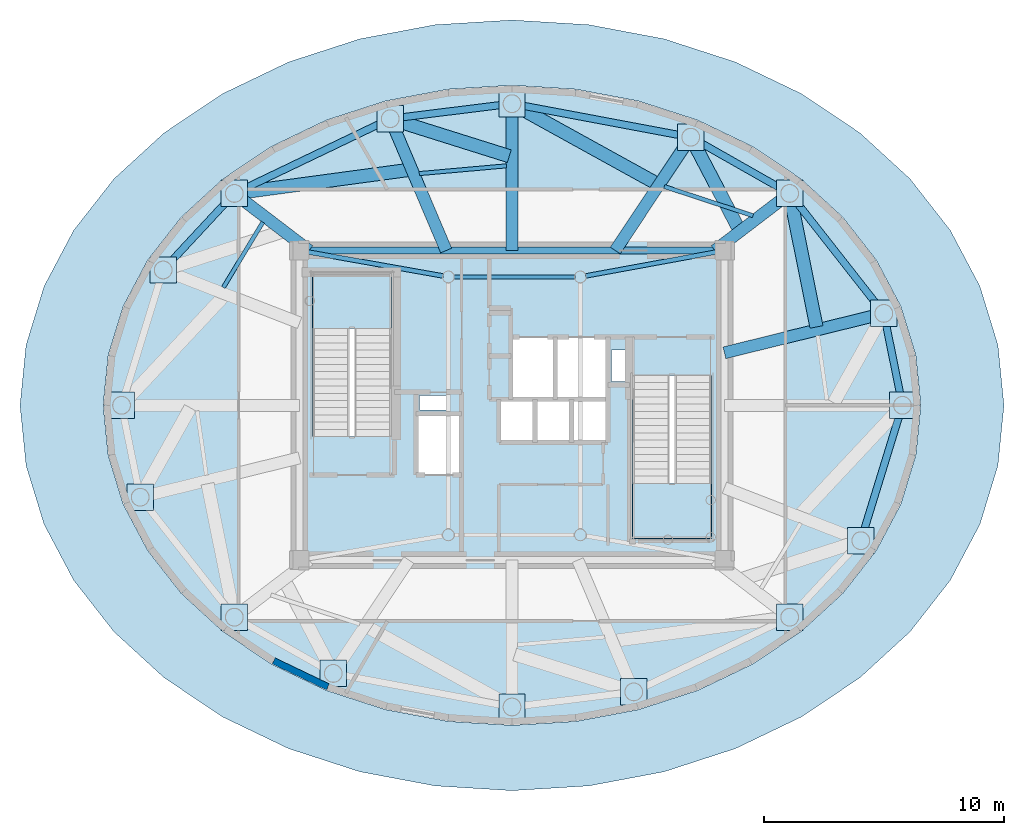
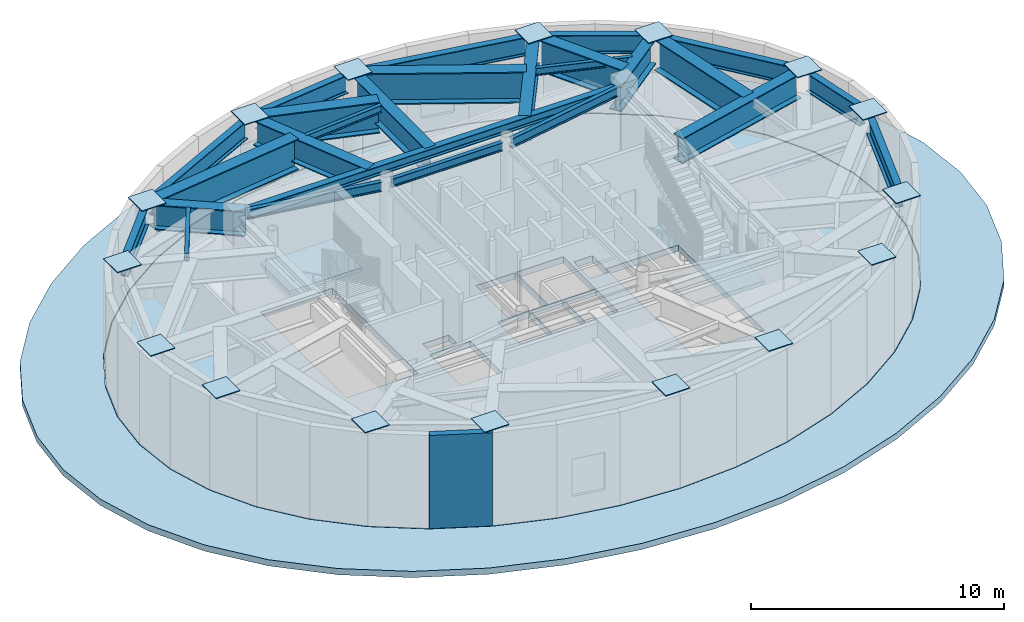
# One storey, part 2 of 11: 26 beams, 16 plates, 4 slabs, 1 wall, 2 elements without a shape of their own.
"""IFC4 building model written with IfcOpenShell, lengths in metres."""

from ifc_helpers import new_model, si_unit, direction, frame, frame_2d, origin, origin_2d, place, context, subcontext, project, spatial, polyline, rectangle, i_section, outline, extrude, source, transform, mapped, material, layer, layer_set, material_profile, profile_set, type_object, element, aggregate, save


model = new_model("IFC4")

# Units and contexts
model_context = context("Model", 3, precision=1e-05, world=origin(), true_north=direction((0.0, 1.0)))
body_context = subcontext(model_context, "Body", "Model", "MODEL_VIEW")
ifc_project = project(units=[si_unit("LENGTHUNIT", "METRE"), si_unit("AREAUNIT", "SQUARE_METRE"), si_unit("VOLUMEUNIT", "CUBIC_METRE"), si_unit("PLANEANGLEUNIT", "RADIAN"), si_unit("MASSUNIT", "GRAM", prefix="KILO")], contexts=[model_context])

# Site, building, storey
site_placement = place(None, origin())
site = spatial("IfcSite", under=ifc_project, at=site_placement, CompositionType="ELEMENT")
building_placement = place(site_placement, origin())
building = spatial("IfcBuilding", under=site, at=building_placement, Name="Linh Dai School and Residence Tower", CompositionType="ELEMENT")
storey_placement = place(building_placement, frame((0.0, 0.0, 363.60009765625)))
storey = spatial("IfcBuildingStorey", under=building, at=storey_placement, Name="L90", CompositionType="ELEMENT", Elevation=363.60009765625)

# Beams
ifc_material_1 = material(Name="Structural Steel S355JR", Category="steel")
ifc_material_profile_1 = material_profile(ifc_material_1, i_section(OverallWidth=0.300048828125, OverallDepth=0.449951171875, WebThickness=0.013916015625, FlangeThickness=0.02587890625, FilletRadius=0.027099609375, at=origin_2d()), Name="HEB 450")
ifc_profile_set_1 = profile_set([ifc_material_profile_1], Name="Structural Steel S355JR")
beam_type_1 = type_object("IfcBeamType", Name="BM-RG45", PredefinedType="BEAM", material=ifc_profile_set_1)
beam_1_placement = place(storey_placement, frame((44.47998046875, 33.449951171875, 4.27490234375), z_axis=(-1.0, 0.0, 0.0), x_axis=(0.0, -1.0, 0.0)))
element("IfcBeam", 1, at=beam_1_placement, inside=storey, type_object=beam_type_1, Name="L90 Core Perimeter Coupling Girder 3", PredefinedType="BEAM", context=body_context, shape_type="SweptSolid", body=[
    extrude(i_section(OverallWidth=0.300048828125, OverallDepth=0.449951171875, WebThickness=0.013916015625, FlangeThickness=0.02587890625, FilletRadius=0.027099609375, at=origin_2d()), origin(), (0.0, 0.0, 1.0), 16.9599609375),
])
ifc_material_profile_2 = material_profile(ifc_material_1, i_section(OverallWidth=0.300048828125, OverallDepth=0.89990234375, WebThickness=0.0185546875, FlangeThickness=0.034912109375, FilletRadius=0.030029296875, at=origin_2d()), Name="HEB 900")
ifc_profile_set_2 = profile_set([ifc_material_profile_2], Name="Structural Steel S355JR")
beam_type_2 = type_object("IfcBeamType", Name="BM-RG9", PredefinedType="BEAM", material=ifc_profile_set_2)
beam_2_placement = place(storey_placement, frame((52.19921875, 27.343994140625, 4.0498046875), z_axis=(-0.198634746425, 0.980073587805, 0.0), x_axis=(-0.980073587805, -0.198634746425, 0.0)))
element("IfcBeam", 2, at=beam_2_placement, inside=storey, type_object=beam_type_2, Name="L90 Perimeter Elliptical Ring Beam 01", PredefinedType="BEAM", context=body_context, shape_type="SweptSolid", body=[
    extrude(i_section(OverallWidth=0.300048828125, OverallDepth=0.89990234375, WebThickness=0.0185546875, FlangeThickness=0.034912109375, FilletRadius=0.030029296875, at=origin_2d()), origin(), (0.0, 0.0, 1.0), 3.20556640625),
])
beam_3_placement = place(storey_placement, frame((51.276123046875, 31.105712890625, 4.0498046875), z_axis=(-0.617266297367, 0.786754293369, 0.0), x_axis=(-0.786754293369, -0.617266297367, 0.0)))
element("IfcBeam", 3, at=beam_3_placement, inside=storey, type_object=beam_type_2, Name="L90 Perimeter Elliptical Ring Beam 02", PredefinedType="BEAM", context=body_context, shape_type="SweptSolid", body=[
    extrude(i_section(OverallWidth=0.300048828125, OverallDepth=0.89990234375, WebThickness=0.0185546875, FlangeThickness=0.034912109375, FilletRadius=0.030029296875, at=origin_2d()), origin(), (0.0, 0.0, 1.0), 5.65234375),
])
beam_4_placement = place(storey_placement, frame((47.26513671875, 36.002197265625, 4.0498046875), z_axis=(-0.869456557393, 0.49400940761, 0.0), x_axis=(-0.49400940761, -0.869456557393, 0.0)))
element("IfcBeam", 4, at=beam_4_placement, inside=storey, type_object=beam_type_2, Name="L90 Perimeter Elliptical Ring Beam 03", PredefinedType="BEAM", context=body_context, shape_type="SweptSolid", body=[
    extrude(i_section(OverallWidth=0.300048828125, OverallDepth=0.89990234375, WebThickness=0.0185546875, FlangeThickness=0.034912109375, FilletRadius=0.030029296875, at=origin_2d()), origin(), (0.0, 0.0, 1.0), 4.0400390625),
])
beam_5_placement = place(storey_placement, frame((43.102294921875, 38.236083984375, 4.0498046875), z_axis=(-0.982844035526, 0.184438612635, 0.0), x_axis=(-0.184438612635, -0.982844035526, 0.0)))
element("IfcBeam", 5, at=beam_5_placement, inside=storey, type_object=beam_type_2, Name="L90 Perimeter Elliptical Ring Beam 04", PredefinedType="BEAM", context=body_context, shape_type="SweptSolid", body=[
    extrude(i_section(OverallWidth=0.300048828125, OverallDepth=0.89990234375, WebThickness=0.0185546875, FlangeThickness=0.034912109375, FilletRadius=0.030029296875, at=origin_2d()), origin(), (0.0, 0.0, 1.0), 6.875244140625),
])
beam_6_placement = place(storey_placement, frame((35.651611328125, 39.52587890625, 4.0498046875), z_axis=(-0.992411863952, -0.12295809159, 0.0), x_axis=(0.12295809159, -0.992411863952, 0.0)))
element("IfcBeam", 6, at=beam_6_placement, inside=storey, type_object=beam_type_2, Name="L90 Perimeter Elliptical Ring Beam 05", PredefinedType="BEAM", context=body_context, shape_type="SweptSolid", body=[
    extrude(i_section(OverallWidth=0.300048828125, OverallDepth=0.89990234375, WebThickness=0.0185546875, FlangeThickness=0.034912109375, FilletRadius=0.030029296875, at=origin_2d()), origin(), (0.0, 0.0, 1.0), 4.409912109375),
])
beam_7_placement = place(storey_placement, frame((30.6103515625, 38.7890625, 4.0498046875), z_axis=(-0.901897708522, -0.431949676887, 0.0), x_axis=(0.431949676887, -0.901897708522, 0.0)))
element("IfcBeam", 7, at=beam_7_placement, inside=storey, type_object=beam_type_2, Name="L90 Perimeter Elliptical Ring Beam 06", PredefinedType="BEAM", context=body_context, shape_type="SweptSolid", body=[
    extrude(i_section(OverallWidth=0.300048828125, OverallDepth=0.89990234375, WebThickness=0.0185546875, FlangeThickness=0.034912109375, FilletRadius=0.030029296875, at=origin_2d()), origin(), (0.0, 0.0, 1.0), 6.502197265625),
])
beam_8_placement = place(storey_placement, frame((24.190673828125, 35.57177734375, 4.0498046875), z_axis=(-0.680730509139, -0.732533940461, 0.0), x_axis=(0.732533940461, -0.680730509139, 0.0)))
element("IfcBeam", 8, at=beam_8_placement, inside=storey, type_object=beam_type_2, Name="L90 Perimeter Elliptical Ring Beam 07", PredefinedType="BEAM", context=body_context, shape_type="SweptSolid", body=[
    extrude(i_section(OverallWidth=0.300048828125, OverallDepth=0.89990234375, WebThickness=0.0185546875, FlangeThickness=0.034912109375, FilletRadius=0.030029296875, at=origin_2d()), origin(), (0.0, 0.0, 1.0), 3.65234375),
])
beam_9_placement = place(storey_placement, frame((50.6376953125, 21.6962890625, 4.0498046875), z_axis=(0.293976930381, 0.9558125153, 0.0), x_axis=(-0.9558125153, 0.293976930381, 0.0)))
element("IfcBeam", 9, at=beam_9_placement, inside=storey, type_object=beam_type_2, Name="L90 Perimeter Elliptical Ring Beam 16", PredefinedType="BEAM", context=body_context, shape_type="SweptSolid", body=[
    extrude(i_section(OverallWidth=0.300048828125, OverallDepth=0.89990234375, WebThickness=0.0185546875, FlangeThickness=0.034912109375, FilletRadius=0.030029296875, at=origin_2d()), origin(), (0.0, 0.0, 1.0), 5.197998046875),
])
ifc_material_profile_3 = material_profile(ifc_material_1, i_section(OverallWidth=0.169921875, OverallDepth=0.360107421875, WebThickness=0.008056640625, FlangeThickness=0.0126953125, FilletRadius=0.01806640625, at=origin_2d()), Name="IPE 360")
ifc_profile_set_3 = profile_set([ifc_material_profile_3], Name="Structural Steel S355JR")
beam_type_3 = type_object("IfcBeamType", Name="BM-SB36", PredefinedType="BEAM", material=ifc_profile_set_3)
beam_10_placement = place(storey_placement, frame((46.04248046875, 34.9013671875, 4.31982421875), z_axis=(-0.950029092369, 0.312161374377, 0.0), x_axis=(-0.312161374377, -0.950029092369, 0.0)))
element("IfcBeam", 10, at=beam_10_placement, inside=storey, type_object=beam_type_3, Name="L90 Secondary Circumferential Floor Beam 02", PredefinedType="BEAM", context=body_context, shape_type="SweptSolid", body=[
    extrude(i_section(OverallWidth=0.169921875, OverallDepth=0.360107421875, WebThickness=0.008056640625, FlangeThickness=0.0126953125, FilletRadius=0.01806640625, at=origin_2d()), origin(), (0.0, 0.0, 1.0), 3.893310546875),
])
beam_11_placement = place(storey_placement, frame((35.77099609375, 36.978515625, 4.31982421875), z_axis=(-0.996064114444, -0.08863565827, 0.0), x_axis=(0.08863565827, -0.996064114444, 0.0)))
element("IfcBeam", 11, at=beam_11_placement, inside=storey, type_object=beam_type_3, Name="L90 Secondary Circumferential Floor Beam 03", PredefinedType="BEAM", context=body_context, shape_type="SweptSolid", body=[
    extrude(i_section(OverallWidth=0.169921875, OverallDepth=0.360107421875, WebThickness=0.008056640625, FlangeThickness=0.0126953125, FilletRadius=0.01806640625, at=origin_2d()), origin(), (0.0, 0.0, 1.0), 3.649658203125),
])
beam_12_placement = place(storey_placement, frame((25.619873046875, 34.6328125, 4.31982421875), z_axis=(-0.517740631974, -0.855537630969, 0.0), x_axis=(0.855537630969, -0.517740631974, 0.0)))
element("IfcBeam", 12, at=beam_12_placement, inside=storey, type_object=beam_type_3, Name="L90 Secondary Circumferential Floor Beam 04", PredefinedType="BEAM", context=body_context, shape_type="SweptSolid", body=[
    extrude(i_section(OverallWidth=0.169921875, OverallDepth=0.360107421875, WebThickness=0.008056640625, FlangeThickness=0.0126953125, FilletRadius=0.01806640625, at=origin_2d()), origin(), (0.0, 0.0, 1.0), 3.182861328125),
])
ifc_material_profile_4 = material_profile(ifc_material_1, i_section(OverallWidth=0.179931640625, OverallDepth=0.39990234375, WebThickness=0.008544921875, FlangeThickness=0.013427734375, FilletRadius=0.02099609375, at=origin_2d()), Name="IPE 400")
ifc_profile_set_4 = profile_set([ifc_material_profile_4], Name="Structural Steel S355JR")
beam_type_4 = type_object("IfcBeamType", Name="BM-SB40", PredefinedType="BEAM", material=ifc_profile_set_4)
beam_13_placement = place(storey_placement, frame((38.6259765625, 32.35009765625, 4.2998046875), z_axis=(-1.0, 0.0, 0.0), x_axis=(0.0, -1.0, 0.0)))
element("IfcBeam", 13, at=beam_13_placement, inside=storey, type_object=beam_type_4, Name="L90 Core Mast Pier Tie Beam 3", PredefinedType="BEAM", context=body_context, shape_type="SweptSolid", body=[
    extrude(i_section(OverallWidth=0.179931640625, OverallDepth=0.39990234375, WebThickness=0.008544921875, FlangeThickness=0.013427734375, FilletRadius=0.02099609375, at=origin_2d()), origin(), (0.0, 0.0, 1.0), 5.052001953125),
])
ifc_material_profile_5 = material_profile(ifc_material_1, i_section(OverallWidth=0.18994140625, OverallDepth=0.449951171875, WebThickness=0.009521484375, FlangeThickness=0.0146484375, FilletRadius=0.02099609375, at=origin_2d()), Name="IPE 450")
ifc_profile_set_5 = profile_set([ifc_material_profile_5], Name="Structural Steel S355JR")
beam_type_5 = type_object("IfcBeamType", Name="BM-SB45", PredefinedType="BEAM", material=ifc_profile_set_5)
beam_14_placement = place(storey_placement, frame((44.486083984375, 33.38330078125, 4.27490234375), z_axis=(-0.98360563981, -0.180332873692, 0.0), x_axis=(0.180332873692, -0.98360563981, 0.0)))
element("IfcBeam", 14, at=beam_14_placement, inside=storey, type_object=beam_type_5, Name="L90 Core Corner-to-Mast Pier Beam 3", PredefinedType="BEAM", context=body_context, shape_type="SweptSolid", body=[
    extrude(i_section(OverallWidth=0.18994140625, OverallDepth=0.449951171875, WebThickness=0.009521484375, FlangeThickness=0.0146484375, FilletRadius=0.02099609375, at=origin_2d()), origin(), (0.0, 0.0, 1.0), 5.506103515625),
])
beam_15_placement = place(storey_placement, frame((27.514404296875, 33.38525390625, 4.27490234375), z_axis=(0.984626710228, -0.17467181085, 0.0), x_axis=(0.17467181085, 0.984626710228, 0.0)))
element("IfcBeam", 15, at=beam_15_placement, inside=storey, type_object=beam_type_5, Name="L90 Core Corner-to-Mast Pier Beam 4", PredefinedType="BEAM", context=body_context, shape_type="SweptSolid", body=[
    extrude(i_section(OverallWidth=0.18994140625, OverallDepth=0.449951171875, WebThickness=0.009521484375, FlangeThickness=0.0146484375, FilletRadius=0.02099609375, at=origin_2d()), origin(), (0.0, 0.0, 1.0), 5.70263671875),
])
ifc_material_profile_6 = material_profile(ifc_material_1, i_section(OverallWidth=0.5, OverallDepth=1.199951171875, WebThickness=0.02392578125, FlangeThickness=0.044921875, at=origin_2d()), Name="PG 1200x500x24x45")
ifc_profile_set_6 = profile_set([ifc_material_profile_6], Name="Structural Steel S355JR")
beam_type_6 = type_object("IfcBeamType", Name="BM-TG12", PredefinedType="BEAM", material=ifc_profile_set_6)
beam_16_placement = place(storey_placement, frame((44.85009765625, 29.1875, 3.89990234375), z_axis=(0.970778467558, 0.239977430035, 0.0), x_axis=(-0.239977430035, 0.970778467558, 0.0)))
element("IfcBeam", 16, at=beam_16_placement, inside=storey, type_object=beam_type_6, Name="L90 Radial Setback Transfer Girder 02", PredefinedType="BEAM", context=body_context, shape_type="SweptSolid", body=[
    extrude(i_section(OverallWidth=0.5, OverallDepth=1.199951171875, WebThickness=0.02392578125, FlangeThickness=0.044921875, at=origin_2d()), origin(), (0.0, 0.0, 1.0), 6.49169921875),
])
beam_17_placement = place(storey_placement, frame((44.452880859375, 33.449951171875, 3.89990234375), z_axis=(0.794966866572, 0.606652850527, 0.0), x_axis=(-0.606652850527, 0.794966866572, 0.0)))
element("IfcBeam", 17, at=beam_17_placement, inside=storey, type_object=beam_type_6, Name="L90 Radial Setback Transfer Girder 03", PredefinedType="BEAM", context=body_context, shape_type="SweptSolid", body=[
    extrude(i_section(OverallWidth=0.5, OverallDepth=1.199951171875, WebThickness=0.02392578125, FlangeThickness=0.044921875, at=origin_2d()), origin(), (0.0, 0.0, 1.0), 3.570556640625),
])
beam_18_placement = place(storey_placement, frame((40.2998046875, 33.449951171875, 3.89990234375), z_axis=(0.554657861137, 0.832078516174, 0.0), x_axis=(-0.832078516174, 0.554657861137, 0.0)))
element("IfcBeam", 18, at=beam_18_placement, inside=storey, type_object=beam_type_6, Name="L90 Radial Setback Transfer Girder 04", PredefinedType="BEAM", context=body_context, shape_type="SweptSolid", body=[
    extrude(i_section(OverallWidth=0.5, OverallDepth=1.199951171875, WebThickness=0.02392578125, FlangeThickness=0.044921875, at=origin_2d()), origin(), (0.0, 0.0, 1.0), 5.3232421875),
])
beam_19_placement = place(storey_placement, frame((36.0, 33.449951171875, 3.89990234375), z_axis=(0.0, 1.0, 0.0), x_axis=(-1.0, 0.0, 0.0)))
element("IfcBeam", 19, at=beam_19_placement, inside=storey, type_object=beam_type_6, Name="L90 Radial Setback Transfer Girder 05", PredefinedType="BEAM", context=body_context, shape_type="SweptSolid", body=[
    extrude(i_section(OverallWidth=0.5, OverallDepth=1.199951171875, WebThickness=0.02392578125, FlangeThickness=0.044921875, at=origin_2d()), origin(), (0.0, 0.0, 1.0), 5.76806640625),
])
beam_20_placement = place(storey_placement, frame((33.259521484375, 33.449951171875, 3.89990234375), z_axis=(-0.391046719568, 0.920370829131, 0.0), x_axis=(-0.920370829131, -0.391046719568, 0.0)))
element("IfcBeam", 20, at=beam_20_placement, inside=storey, type_object=beam_type_6, Name="L90 Radial Setback Transfer Girder 06", PredefinedType="BEAM", context=body_context, shape_type="SweptSolid", body=[
    extrude(i_section(OverallWidth=0.5, OverallDepth=1.199951171875, WebThickness=0.02392578125, FlangeThickness=0.044921875, at=origin_2d()), origin(), (0.0, 0.0, 1.0), 5.614501953125),
])
beam_21_placement = place(storey_placement, frame((27.547119140625, 33.449951171875, 3.89990234375), z_axis=(-0.794966866572, 0.606652850527, 0.0), x_axis=(-0.606652850527, -0.794966866572, 0.0)))
element("IfcBeam", 21, at=beam_21_placement, inside=storey, type_object=beam_type_6, Name="L90 Radial Setback Transfer Girder 07", PredefinedType="BEAM", context=body_context, shape_type="SweptSolid", body=[
    extrude(i_section(OverallWidth=0.5, OverallDepth=1.199951171875, WebThickness=0.02392578125, FlangeThickness=0.044921875, at=origin_2d()), origin(), (0.0, 0.0, 1.0), 3.570556640625),
])
ifc_material_profile_7 = material_profile(ifc_material_1, i_section(OverallWidth=0.550048828125, OverallDepth=1.5, WebThickness=0.028076171875, FlangeThickness=0.050048828125, at=origin_2d()), Name="PG 1500x550x28x50")
ifc_profile_set_7 = profile_set([ifc_material_profile_7], Name="Structural Steel S355JR")
beam_type_7 = type_object("IfcBeamType", Name="BM-TG15", PredefinedType="BEAM", material=ifc_profile_set_7)
beam_22_placement = place(storey_placement, frame((48.685791015625, 30.2666015625, 3.75), z_axis=(-0.196618966646, 0.980479975295, 0.0), x_axis=(-0.980479975295, -0.196618966646, 0.0)))
element("IfcBeam", 22, at=beam_22_placement, inside=storey, type_object=beam_type_7, Name="L90 Setback Diaphragm Transfer Girder 02", PredefinedType="BEAM", context=body_context, shape_type="SweptSolid", body=[
    extrude(i_section(OverallWidth=0.550048828125, OverallDepth=1.5, WebThickness=0.028076171875, FlangeThickness=0.050048828125, at=origin_2d()), origin(), (0.0, 0.0, 1.0), 5.322021484375),
])
beam_23_placement = place(storey_placement, frame((45.439208984375, 34.369384765625, 3.75), z_axis=(-0.464106525715, 0.885779392845, 0.0), x_axis=(-0.885779392845, -0.464106525715, 0.0)))
element("IfcBeam", 23, at=beam_23_placement, inside=storey, type_object=beam_type_7, Name="L90 Setback Diaphragm Transfer Girder 03", PredefinedType="BEAM", context=body_context, shape_type="SweptSolid", body=[
    extrude(i_section(OverallWidth=0.550048828125, OverallDepth=1.5, WebThickness=0.028076171875, FlangeThickness=0.050048828125, at=origin_2d()), origin(), (0.0, 0.0, 1.0), 3.941162109375),
])
beam_24_placement = place(storey_placement, frame((42.00732421875, 36.2509765625, 3.75), z_axis=(-0.875350109271, 0.483489592649, 0.0), x_axis=(-0.483489592649, -0.875350109271, 0.0)))
element("IfcBeam", 24, at=beam_24_placement, inside=storey, type_object=beam_type_7, Name="L90 Setback Diaphragm Transfer Girder 04", PredefinedType="BEAM", context=body_context, shape_type="SweptSolid", body=[
    extrude(i_section(OverallWidth=0.550048828125, OverallDepth=1.5, WebThickness=0.028076171875, FlangeThickness=0.050048828125, at=origin_2d()), origin(), (0.0, 0.0, 1.0), 6.511962890625),
])
beam_25_placement = place(storey_placement, frame((35.885498046875, 37.381103515625, 3.75), z_axis=(-0.953939777381, 0.299998168545, 0.0), x_axis=(-0.299998168545, -0.953939777381, 0.0)))
element("IfcBeam", 25, at=beam_25_placement, inside=storey, type_object=beam_type_7, Name="L90 Setback Diaphragm Transfer Girder 05", PredefinedType="BEAM", context=body_context, shape_type="SweptSolid", body=[
    extrude(i_section(OverallWidth=0.550048828125, OverallDepth=1.5, WebThickness=0.028076171875, FlangeThickness=0.050048828125, at=origin_2d()), origin(), (0.0, 0.0, 1.0), 4.846923828125),
])
beam_26_placement = place(storey_placement, frame((31.716796875, 36.81103515625, 3.75), z_axis=(-0.991038394962, -0.133577317352, 0.0), x_axis=(0.133577317352, -0.991038394962, 0.0)))
element("IfcBeam", 26, at=beam_26_placement, inside=storey, type_object=beam_type_7, Name="L90 Setback Diaphragm Transfer Girder 06", PredefinedType="BEAM", context=body_context, shape_type="SweptSolid", body=[
    extrude(i_section(OverallWidth=0.550048828125, OverallDepth=1.5, WebThickness=0.028076171875, FlangeThickness=0.050048828125, at=origin_2d()), origin(), (0.0, 0.0, 1.0), 7.001953125),
])

# Slabs
ifc_material_2 = material(Name="Concrete B45 (C35/45)", Category="concrete")
ifc_layer_1 = layer(ifc_material_2, 0.300048828125)
ifc_layer_set_1 = layer_set([ifc_layer_1], Name="Concrete B45 (C35/45)")
slab_type_1 = type_object("IfcSlabType", Name="SLB-FLR300", PredefinedType="FLOOR", material=ifc_layer_set_1)
slab_1_placement = place(storey_placement, frame((0.0, 0.0, -0.300048828125)))
element("IfcSlab", 27, at=slab_1_placement, inside=storey, type_object=slab_type_1, Name="L90 Composite Structural Floor Slab", PredefinedType="FLOOR", context=body_context, shape_type="SweptSolid", body=[
    extrude(outline(polyline([(53.0, 27.0), (52.790771484375, 29.08056640625), (52.16796875, 31.10986328125), (51.147216796875, 33.0380859375), (49.753173828125, 34.817626953125), (48.020751953125, 36.404541015625), (45.992431640625, 37.760009765625), (43.7177734375, 38.850341796875), (41.253173828125, 39.649169921875), (38.659423828125, 40.13623046875), (36.0, 40.300048828125), (33.340576171875, 40.13623046875), (30.746826171875, 39.649169921875), (28.2822265625, 38.850341796875), (26.007568359375, 37.760009765625), (23.979248046875, 36.404541015625), (22.246826171875, 34.817626953125), (20.852783203125, 33.0380859375), (19.83203125, 31.10986328125), (19.209228515625, 29.08056640625), (19.0, 27.0), (19.209228515625, 24.91943359375), (19.83203125, 22.89013671875), (20.852783203125, 20.9619140625), (22.246826171875, 19.182373046875), (23.979248046875, 17.595458984375), (26.007568359375, 16.239990234375), (28.2822265625, 15.149658203125), (30.746826171875, 14.350830078125), (33.340576171875, 13.86376953125), (36.0, 13.699951171875), (38.659423828125, 13.86376953125), (41.253173828125, 14.350830078125), (43.7177734375, 15.149658203125), (45.992431640625, 16.239990234375), (48.020751953125, 17.595458984375), (49.753173828125, 19.182373046875), (51.147216796875, 20.9619140625), (52.16796875, 22.89013671875), (52.790771484375, 24.91943359375), (53.0, 27.0)]), holes=[polyline([(30.97998046875, 25.699951171875), (30.97998046875, 32.5), (27.679931640625, 32.5), (27.679931640625, 25.699951171875), (30.97998046875, 25.699951171875)]), polyline([(41.02001953125, 28.25), (41.02001953125, 21.449951171875), (44.320068359375, 21.449951171875), (44.320068359375, 28.25), (41.02001953125, 28.25)]), polyline([(35.97998046875, 27.280029296875), (37.77001953125, 27.280029296875), (37.77001953125, 29.820068359375), (35.97998046875, 29.820068359375), (35.97998046875, 27.280029296875)]), polyline([(32.030029296875, 24.1298828125), (33.8701171875, 24.1298828125), (33.8701171875, 26.6201171875), (32.030029296875, 26.6201171875), (32.030029296875, 24.1298828125)]), polyline([(37.830078125, 27.280029296875), (39.969970703125, 27.280029296875), (39.969970703125, 29.820068359375), (37.830078125, 29.820068359375), (37.830078125, 27.280029296875)]), polyline([(35.47998046875, 25.47998046875), (36.929931640625, 25.47998046875), (36.929931640625, 27.219970703125), (35.47998046875, 27.219970703125), (35.47998046875, 25.47998046875)]), polyline([(36.989990234375, 25.47998046875), (38.449951171875, 25.47998046875), (38.449951171875, 27.219970703125), (36.989990234375, 27.219970703125), (36.989990234375, 25.47998046875)]), polyline([(38.510009765625, 25.47998046875), (39.969970703125, 25.47998046875), (39.969970703125, 27.219970703125), (38.510009765625, 27.219970703125), (38.510009765625, 25.47998046875)]), polyline([(40.14990234375, 28.0), (40.14990234375, 29.300048828125), (41.0, 29.300048828125), (41.0, 28.280029296875), (40.989990234375, 28.280029296875), (40.989990234375, 28.0), (40.14990234375, 28.0)]), polyline([(32.14990234375, 26.800048828125), (33.35009765625, 26.800048828125), (33.35009765625, 27.39990234375), (32.14990234375, 27.39990234375), (32.14990234375, 26.800048828125)])]), origin(), (0.0, 0.0, 1.0), 0.300048828125),
])
ifc_layer_2 = layer(ifc_material_2, 0.300048828125)
ifc_layer_set_2 = layer_set([ifc_layer_2], Name="Concrete B45 (C35/45)")
slab_type_2 = type_object("IfcSlabType", Name="SLB-ROOF300", PredefinedType="ROOF", material=ifc_layer_set_2)
slab_2_placement = place(storey_placement, frame((0.0, 0.0, -0.300048828125)))
element("IfcSlab", 28, at=slab_2_placement, inside=storey, type_object=slab_type_2, Name="L90 Setback Step Insulated Roof Slab", PredefinedType="ROOF", context=body_context, shape_type="SweptSolid", body=[
    extrude(outline(polyline([(56.5, 27.0), (56.24755859375, 29.511474609375), (55.49658203125, 31.961181640625), (54.265625, 34.288818359375), (52.5849609375, 36.43701171875), (50.49560546875, 38.3525390625), (48.049560546875, 39.98876953125), (45.306884765625, 41.30517578125), (42.3349609375, 42.269287109375), (39.206787109375, 42.857421875), (36.0, 43.054931640625), (32.793212890625, 42.857421875), (29.6650390625, 42.269287109375), (26.693115234375, 41.30517578125), (23.950439453125, 39.98876953125), (21.50439453125, 38.3525390625), (19.4150390625, 36.43701171875), (17.734375, 34.288818359375), (16.50341796875, 31.961181640625), (15.75244140625, 29.511474609375), (15.5, 27.0), (15.75244140625, 24.488525390625), (16.50341796875, 22.038818359375), (17.734375, 19.711181640625), (19.4150390625, 17.56298828125), (21.50439453125, 15.6474609375), (23.950439453125, 14.01123046875), (26.693115234375, 12.69482421875), (29.6650390625, 11.730712890625), (32.793212890625, 11.142578125), (36.0, 10.945068359375), (39.206787109375, 11.142578125), (42.3349609375, 11.730712890625), (45.306884765625, 12.69482421875), (48.049560546875, 14.01123046875), (50.49560546875, 15.6474609375), (52.5849609375, 17.56298828125), (54.265625, 19.711181640625), (55.49658203125, 22.038818359375), (56.24755859375, 24.488525390625), (56.5, 27.0)]), holes=[polyline([(53.030029296875, 27.0), (52.8203125, 29.085205078125), (52.196533203125, 31.119140625), (51.173828125, 33.0517578125), (49.777587890625, 34.835205078125), (48.0419921875, 36.42578125), (46.010009765625, 37.7841796875), (43.7314453125, 38.877197265625), (41.262451171875, 39.677490234375), (38.6640625, 40.165771484375), (36.0, 40.330078125), (33.3359375, 40.165771484375), (30.737548828125, 39.677490234375), (28.2685546875, 38.877197265625), (25.989990234375, 37.7841796875), (23.9580078125, 36.42578125), (22.222412109375, 34.835205078125), (20.826171875, 33.0517578125), (19.803466796875, 31.119140625), (19.1796875, 29.085205078125), (18.969970703125, 27.0), (19.1796875, 24.914794921875), (19.803466796875, 22.880859375), (20.826171875, 20.9482421875), (22.222412109375, 19.164794921875), (23.9580078125, 17.57421875), (25.989990234375, 16.2158203125), (28.2685546875, 15.122802734375), (30.737548828125, 14.322509765625), (33.3359375, 13.834228515625), (36.0, 13.669921875), (38.6640625, 13.834228515625), (41.262451171875, 14.322509765625), (43.7314453125, 15.122802734375), (46.010009765625, 16.2158203125), (48.0419921875, 17.57421875), (49.777587890625, 19.164794921875), (51.173828125, 20.9482421875), (52.196533203125, 22.880859375), (52.8203125, 24.914794921875), (53.030029296875, 27.0)])]), origin(), (0.0, 0.0, 1.0), 0.300048828125),
])

# Stair, slab
stair_type = type_object("IfcStairType", Name="ST-DOG-1550-R1500", PredefinedType="HALF_TURN_STAIR", material=ifc_material_2)
stair_1_placement = place(storey_placement, origin())
stair_1 = element("IfcStair", 29, at=stair_1_placement, inside=storey, type_object=stair_type, Name="L90 Core Smokeproof Exit Stair ST1", PredefinedType="HALF_TURN_STAIR")
ifc_layer_3 = layer(ifc_material_2, 0.199951171875)
ifc_layer_set_3 = layer_set([ifc_layer_3], Name="Concrete B45 (C35/45)")
slab_type_3 = type_object("IfcSlabType", Name="SLB-ST-LANDING-200", PredefinedType="LANDING", material=ifc_layer_set_3)
slab_3_placement = place(storey_placement, frame((0.0, 0.0, 2.199951171875)))
slab_3 = element("IfcSlab", 30, at=slab_3_placement, type_object=slab_type_3, Name="ST1 landing 1", PredefinedType="LANDING", context=body_context, shape_type="SweptSolid", body=[
    extrude(outline(polyline([(30.97998046875, 30.199951171875), (30.97998046875, 32.5), (27.679931640625, 32.5), (27.679931640625, 30.199951171875), (30.97998046875, 30.199951171875)])), origin(), (0.0, 0.0, 1.0), 0.199951171875),
])
aggregate(stair_1, [slab_3])

stair_2_placement = place(storey_placement, origin())
stair_2 = element("IfcStair", 31, at=stair_2_placement, inside=storey, type_object=stair_type, Name="L90 Core Smokeproof Exit Stair ST2", PredefinedType="HALF_TURN_STAIR")
slab_4_placement = place(storey_placement, frame((0.0, 0.0, 2.199951171875)))
slab_4 = element("IfcSlab", 32, at=slab_4_placement, type_object=slab_type_3, Name="ST2 landing 1", PredefinedType="LANDING", context=body_context, shape_type="SweptSolid", body=[
    extrude(outline(polyline([(41.02001953125, 23.75), (41.02001953125, 21.449951171875), (44.320068359375, 21.449951171875), (44.320068359375, 23.75), (41.02001953125, 23.75)])), origin(), (0.0, 0.0, 1.0), 0.199951171875),
])
aggregate(stair_2, [slab_4])

# Plates
ifc_layer_4 = layer(ifc_material_1, 0.0400390625)
ifc_layer_set_4 = layer_set([ifc_layer_4], Name="Structural Steel S355JR")
plate_type = type_object("IfcPlateType", Name="PLT-GP1", PredefinedType="USERDEFINED", material=ifc_layer_set_4)
shared_shape = source(origin(), body_context, "Body", "SweptSolid", [
    extrude(rectangle(XDim=1.10009765625, YDim=1.10009765625, at=origin_2d()), origin(), (0.0, 0.0, 1.0), 0.0400390625),
])
for number, where, z_axis, x_axis, name in (
    (33, (52.26904296875, 27.0, 4.5), (0.0, 0.0, 1.0), (1.0, 0.0, 0.0), "L90 MC01 Column Cap Plate"),
    (34, (51.492919921875, 30.82958984375, 4.5), (0.0, 0.0, 1.0), (1.0, 0.0, 0.0), "L90 MC02 Column Cap Plate"),
    (35, (47.5703125, 35.828857421875, 4.5), (0.0, 0.0, 1.0), (1.0, 0.0, 0.0), "L90 MC03 Column Cap Plate"),
    (36, (43.447265625, 38.17138671875, 4.5), (0.0, 0.0, 1.0), (1.0, 0.0, 0.0), "L90 MC04 Column Cap Plate"),
    (37, (36.0, 39.569091796875, 4.5), (0.0, 0.0, 1.0), (1.0, 0.0, 0.0), "L90 MC05 Column Cap Plate"),
    (38, (30.9267578125, 38.940673828125, 4.5), (0.0, 0.0, 1.0), (1.0, 0.0, 0.0), "L90 MC06 Column Cap Plate"),
    (39, (24.4296875, 35.828857421875, 4.5), (0.0, 0.0, 1.0), (1.0, 0.0, 0.0), "L90 MC07 Column Cap Plate"),
    (40, (21.46533203125, 32.63916015625, 4.5), (0.0, 0.0, 1.0), (1.0, 0.0, 0.0), "L90 MC08 Column Cap Plate"),
    (41, (19.73095703125, 27.0, 4.5), (0.0, 0.0, 1.0), (1.0, 0.0, 0.0), "L90 MC09 Column Cap Plate"),
    (42, (20.507080078125, 23.17041015625, 4.5), (0.0, 0.0, 1.0), (1.0, 0.0, 0.0), "L90 MC10 Column Cap Plate"),
    (43, (24.4296875, 18.171142578125, 4.5), (0.0, 0.0, 1.0), (1.0, 0.0, 0.0), "L90 MC11 Column Cap Plate"),
    (44, (28.552734375, 15.82861328125, 4.5), (0.0, 0.0, 1.0), (1.0, 0.0, 0.0), "L90 MC12 Column Cap Plate"),
    (45, (36.0, 14.430908203125, 4.5), (0.0, 0.0, 1.0), (1.0, 0.0, 0.0), "L90 MC13 Column Cap Plate"),
    (46, (41.0732421875, 15.059326171875, 4.5), (0.0, 0.0, 1.0), (1.0, 0.0, 0.0), "L90 MC14 Column Cap Plate"),
    (47, (47.5703125, 18.171142578125, 4.5), (0.0, 0.0, 1.0), (1.0, 0.0, 0.0), "L90 MC15 Column Cap Plate"),
    (48, (50.53466796875, 21.36083984375, 4.5), (0.0, 0.0, 1.0), (1.0, 0.0, 0.0), "L90 MC16 Column Cap Plate"),
):
    element("IfcPlate", number, at=place(storey_placement, frame(where, z_axis=z_axis, x_axis=x_axis)), inside=storey, type_object=plate_type, Name=name, ObjectType="GUSSET PLATE", PredefinedType="USERDEFINED", context=body_context, shape_type="MappedRepresentation", body=[
        mapped(shared_shape, transform((0.0, 0.0, 0.0), x_axis=(1.0, 0.0, 0.0), y_axis=(0.0, 1.0, 0.0), z_axis=(0.0, 0.0, 1.0), scale=1.0)),
    ])

# Wall
ifc_layer_5 = layer(ifc_material_2, 0.280029296875)
ifc_layer_set_5 = layer_set([ifc_layer_5], Name="Concrete B45 (C35/45)")
wall_type = type_object("IfcWallType", Name="EW-DRM-280", PredefinedType="SOLIDWALL", material=ifc_layer_set_5)
wall_placement = place(storey_placement, frame((28.328369140625, 15.265625, 0.0), z_axis=(0.0, 0.0, 1.0), x_axis=(-0.901729772184, 0.432300147996, 0.0)))
element("IfcWall", 49, at=wall_placement, inside=storey, type_object=wall_type, Name="L90 Terracotta Exterior Wall 27", PredefinedType="SOLIDWALL", context=body_context, shape_type="SweptSolid", body=[
    extrude(rectangle(XDim=2.505126953125, YDim=0.280029296875, at=frame_2d((1.25244140625, 0.0))), origin(), (0.0, 0.0, 1.0), 4.5),
])

save(model, "model.ifc")
